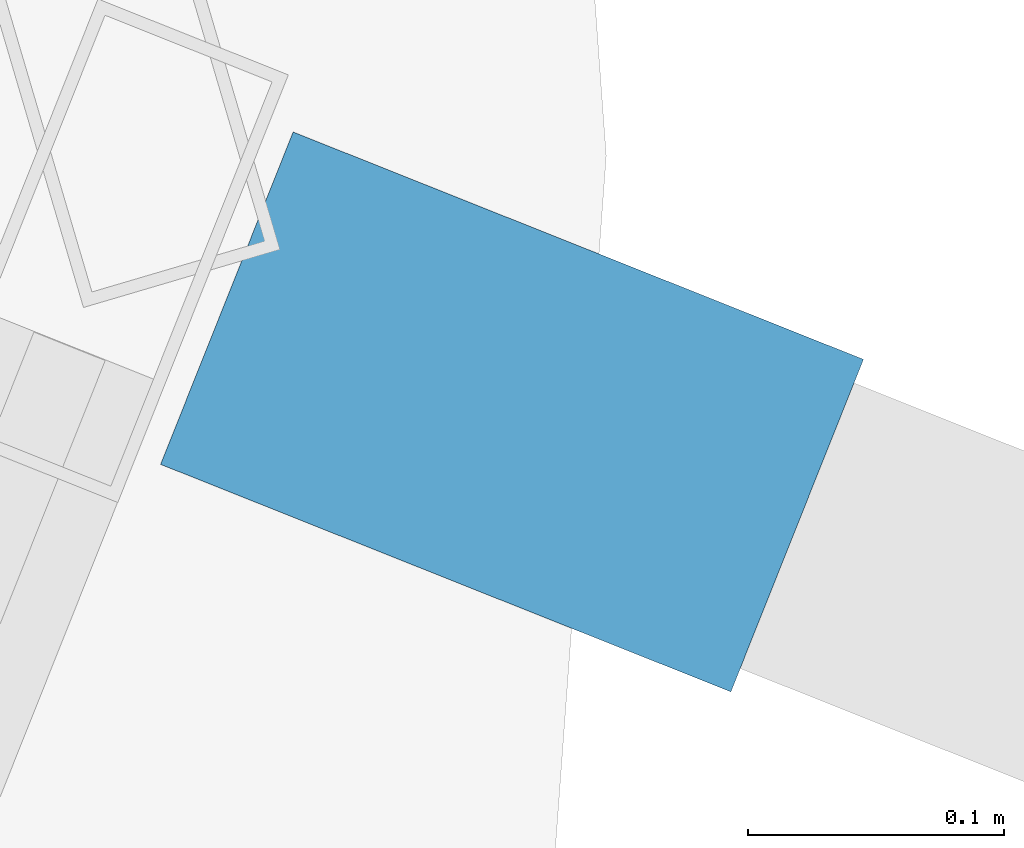
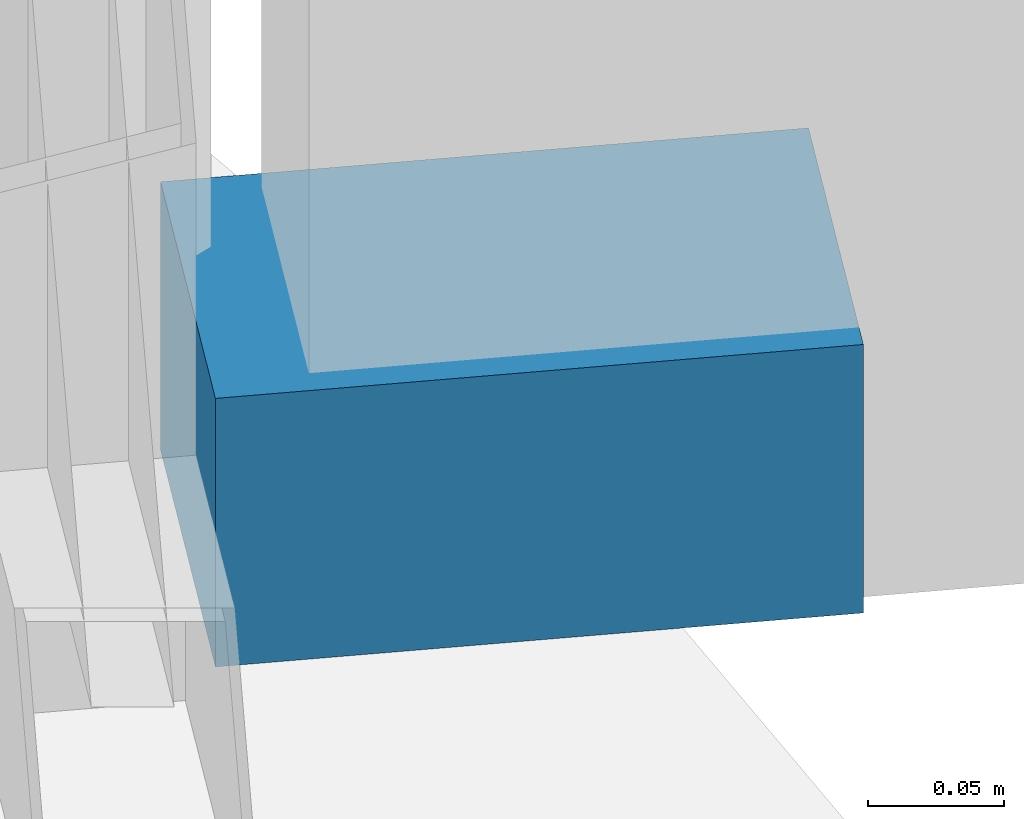
# One storey, part 29 of 33: 1 discrete accessory.
"""IFC4 building model written with IfcOpenShell, lengths in metres."""

from ifc_helpers import new_model, si_unit, direction, frame, origin, origin_2d, place, context, subcontext, project, spatial, rectangle, extrude, material, type_object, element, save


model = new_model("IFC4")

# Units and contexts
model_context = context("Model", 3, precision=1e-05, world=origin(), true_north=direction((0.0, 1.0)))
body_context = subcontext(model_context, "Body", "Model", "MODEL_VIEW")
ifc_project = project(units=[si_unit("LENGTHUNIT", "METRE"), si_unit("AREAUNIT", "SQUARE_METRE"), si_unit("VOLUMEUNIT", "CUBIC_METRE"), si_unit("PLANEANGLEUNIT", "RADIAN"), si_unit("MASSUNIT", "GRAM", prefix="KILO")], contexts=[model_context])

# Site, building, storey
site_placement = place(None, origin())
site = spatial("IfcSite", under=ifc_project, at=site_placement, CompositionType="ELEMENT")
building_placement = place(site_placement, origin())
building = spatial("IfcBuilding", under=site, at=building_placement, Name="Kazevale Care Tower and Concert Hall", CompositionType="ELEMENT")
storey_placement = place(building_placement, frame((0.0, 0.0, 45.60009765625)))
storey = spatial("IfcBuildingStorey", under=building, at=storey_placement, Name="L11", CompositionType="ELEMENT", Elevation=45.60009765625)

# Discrete accessory
ifc_material = material(Name="Stainless Steel 316", Category="steel")
discrete_accessory_type = type_object("IfcDiscreteAccessoryType", Name="Facade Fin Stainless Anchor Bracket BRK-1", PredefinedType="BRACKET", material=ifc_material)
discrete_accessory_placement = place(storey_placement, frame((80.76318359375, 37.89990234375, -0.000244140625), z_axis=(0.0, 0.0, 1.0), x_axis=(0.928874213199, -0.370395324019, 0.0)))
element("IfcDiscreteAccessory", 1, at=discrete_accessory_placement, inside=storey, type_object=discrete_accessory_type, Name="cw:L11:f01:brk", PredefinedType="BRACKET", context=body_context, shape_type="SweptSolid", body=[
    extrude(rectangle(XDim=0.239990234375, YDim=0.139892578125, at=origin_2d()), origin(), (0.0, 0.0, 1.0), 0.1201171875),
])

save(model, "model.ifc")
